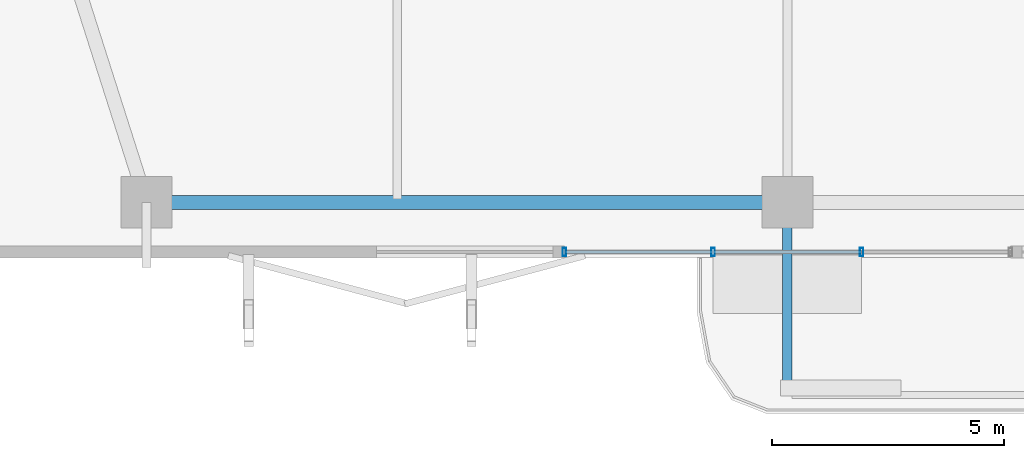
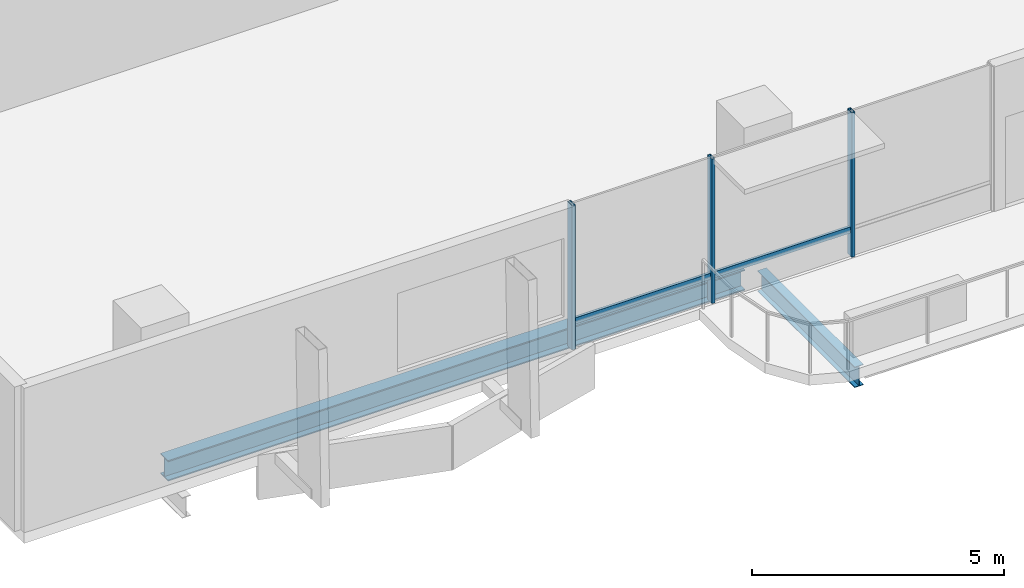
# One storey, part 2 of 25: 5 members, 2 beams, 1 element without a shape of its own.
"""IFC4 building model written with IfcOpenShell, lengths in metres."""

from ifc_helpers import new_model, si_unit, direction, frame, origin, origin_2d, place, context, subcontext, project, spatial, hollow_rectangle, i_section, extrude, material, layer, layer_set, material_profile, profile_set, type_object, element, aggregate, save


model = new_model("IFC4")

# Units and contexts
model_context = context("Model", 3, precision=1e-05, world=origin(), true_north=direction((0.0, 1.0)))
body_context = subcontext(model_context, "Body", "Model", "MODEL_VIEW")
ifc_project = project(units=[si_unit("LENGTHUNIT", "METRE"), si_unit("AREAUNIT", "SQUARE_METRE"), si_unit("VOLUMEUNIT", "CUBIC_METRE"), si_unit("PLANEANGLEUNIT", "RADIAN"), si_unit("MASSUNIT", "GRAM", prefix="KILO")], contexts=[model_context])

# Site, building, storey
site_placement = place(None, origin())
site = spatial("IfcSite", under=ifc_project, at=site_placement, CompositionType="ELEMENT")
building_placement = place(site_placement, origin())
building = spatial("IfcBuilding", under=site, at=building_placement, Name="Belovzor Exchange Tower", CompositionType="ELEMENT")
storey_placement = place(building_placement, frame((0.0, 0.0, 153.300048828125)))
storey = spatial("IfcBuildingStorey", under=building, at=storey_placement, Name="L37", CompositionType="ELEMENT", Elevation=153.300048828125)

# Beam
ifc_material_1 = material(Name="Steel S355", Category="steel")
ifc_material_profile_1 = material_profile(ifc_material_1, i_section(OverallWidth=0.199951171875, OverallDepth=0.5, WebThickness=0.01025390625, FlangeThickness=0.01611328125, at=origin_2d()))
ifc_profile_set_1 = profile_set([ifc_material_profile_1], Name="Steel S355")
beam_type_1 = type_object("IfcBeamType", Name="Planted Balcony Cantilever Beam IPE 500", PredefinedType="BEAM", material=ifc_profile_set_1)
beam_1_placement = place(storey_placement, frame((28.800048828125, 5.39697265625, -0.505126953125), z_axis=(0.0, -1.0, 0.0), x_axis=(1.0, 0.0, 0.0)))
element("IfcBeam", 1, at=beam_1_placement, inside=storey, type_object=beam_type_1, Name="BC-500 Planted Balcony Cantilever Beam IPE 500", PredefinedType="BEAM", context=body_context, shape_type="SweptSolid", body=[
    extrude(i_section(OverallWidth=0.199951171875, OverallDepth=0.5, WebThickness=0.01025390625, FlangeThickness=0.01611328125, at=origin_2d()), origin(), (0.0, 0.0, 1.0), 3.849853515625),
])

# Curtain wall, members
ifc_material_2 = material(Name="Anodised Aluminium Framing", Category="aluminium")
ifc_layer = layer(ifc_material_2, 0.179931640625)
ifc_layer_set = layer_set([ifc_layer], Name="Anodised Aluminium Framing")
curtain_wall_type = type_object("IfcCurtainWallType", Name="Recessed Loggia Low-Iron Triple-Glazed Curtain Wall", PredefinedType="NOTDEFINED", material=ifc_layer_set)
curtain_wall_placement = place(storey_placement, origin())
curtain_wall = element("IfcCurtainWall", 2, at=curtain_wall_placement, inside=storey, type_object=curtain_wall_type, Name="CW3 Recessed Loggia Low-Iron Triple-Glazed Curtain Wall L37", PredefinedType="NOTDEFINED")
ifc_material_3 = material(Name="Steel S355", Category="steel")
ifc_material_profile_2 = material_profile(ifc_material_3, hollow_rectangle(XDim=0.074951171875, YDim=0.179931640625, WallThickness=0.0048828125, at=origin_2d()))
ifc_profile_set_2 = profile_set([ifc_material_profile_2], Name="Steel S355")
member_type_1 = type_object("IfcMemberType", Name="Thermally Broken Curtain Wall Mullion 180x75", PredefinedType="MULLION", material=ifc_profile_set_2)
member_1_placement = place(storey_placement, frame((30.39990234375, 4.6298828125, 0.0), z_axis=(0.0, 0.0, 1.0), x_axis=(-1.0, 0.0, 0.0)))
member_1 = element("IfcMember", 3, at=member_1_placement, type_object=member_type_1, Name="CW-M180 Curtain Wall Mullion 2", PredefinedType="MULLION", context=body_context, shape_type="SweptSolid", body=[
    extrude(hollow_rectangle(XDim=0.074951171875, YDim=0.179931640625, WallThickness=0.0048828125, at=origin_2d()), origin(), (0.0, 0.0, 1.0), 3.494873046875),
])
member_2_placement = place(storey_placement, frame((27.199951171875, 4.6298828125, 0.0), z_axis=(0.0, 0.0, 1.0), x_axis=(-1.0, 0.0, 0.0)))
member_2 = element("IfcMember", 4, at=member_2_placement, type_object=member_type_1, Name="CW-M180 Curtain Wall Mullion 3", PredefinedType="MULLION", context=body_context, shape_type="SweptSolid", body=[
    extrude(hollow_rectangle(XDim=0.074951171875, YDim=0.179931640625, WallThickness=0.0048828125, at=origin_2d()), origin(), (0.0, 0.0, 1.0), 3.494873046875),
])
member_3_placement = place(storey_placement, frame((24.0, 4.6298828125, 0.0), z_axis=(0.0, 0.0, 1.0), x_axis=(-1.0, 0.0, 0.0)))
member_3 = element("IfcMember", 5, at=member_3_placement, type_object=member_type_1, Name="CW-M180 Curtain Wall Mullion 4", PredefinedType="MULLION", context=body_context, shape_type="SweptSolid", body=[
    extrude(hollow_rectangle(XDim=0.074951171875, YDim=0.179931640625, WallThickness=0.0048828125, at=origin_2d()), origin(), (0.0, 0.0, 1.0), 3.494873046875),
])
ifc_material_4 = material(Name="Steel S355", Category="steel")
ifc_material_profile_3 = material_profile(ifc_material_4, hollow_rectangle(XDim=0.06005859375, YDim=0.14990234375, WallThickness=0.00390625, at=origin_2d()))
ifc_profile_set_3 = profile_set([ifc_material_profile_3], Name="Steel S355")
member_type_2 = type_object("IfcMemberType", Name="Thermally Broken Curtain Wall Transom 150x60", PredefinedType="USERDEFINED", material=ifc_profile_set_3)
member_4_placement = place(storey_placement, frame((30.39208984375, 4.6298828125, 0.62890625), z_axis=(-1.0, 0.0, 0.0), x_axis=(0.0, -1.0, 0.0)))
member_4 = element("IfcMember", 6, at=member_4_placement, type_object=member_type_2, Name="CW-T150 Curtain Wall Transom 2", ObjectType="TRANSOM", PredefinedType="USERDEFINED", context=body_context, shape_type="SweptSolid", body=[
    extrude(hollow_rectangle(XDim=0.06005859375, YDim=0.14990234375, WallThickness=0.00390625, at=origin_2d()), origin(), (0.0, 0.0, 1.0), 3.18408203125),
])
member_5_placement = place(storey_placement, frame((27.19189453125, 4.6298828125, 0.62890625), z_axis=(-1.0, 0.0, 0.0), x_axis=(0.0, -1.0, 0.0)))
member_5 = element("IfcMember", 7, at=member_5_placement, type_object=member_type_2, Name="CW-T150 Curtain Wall Transom 3", ObjectType="TRANSOM", PredefinedType="USERDEFINED", context=body_context, shape_type="SweptSolid", body=[
    extrude(hollow_rectangle(XDim=0.06005859375, YDim=0.14990234375, WallThickness=0.00390625, at=origin_2d()), origin(), (0.0, 0.0, 1.0), 3.183837890625),
])
aggregate(curtain_wall, [member_1, member_2, member_3, member_4, member_5])

# Beam
ifc_material_5 = material(Name="Steel S355", Category="steel")
ifc_material_profile_4 = material_profile(ifc_material_5, i_section(OverallWidth=0.300048828125, OverallDepth=0.5, WebThickness=0.014404296875, FlangeThickness=0.028076171875, at=origin_2d()))
ifc_profile_set_4 = profile_set([ifc_material_profile_4], Name="Steel S355")
beam_type_2 = type_object("IfcBeamType", Name="Zone 3 Waist Primary Girder HEB 500", PredefinedType="BEAM", material=ifc_profile_set_4)
beam_2_placement = place(storey_placement, frame((15.302978515625, 5.699951171875, -0.505126953125), z_axis=(1.0, 0.0, 0.0), x_axis=(0.0, 1.0, 0.0)))
element("IfcBeam", 8, at=beam_2_placement, inside=storey, type_object=beam_type_2, Name="FG-Z3 Zone 3 Waist Primary Girder HEB 500", PredefinedType="BEAM", context=body_context, shape_type="SweptSolid", body=[
    extrude(i_section(OverallWidth=0.300048828125, OverallDepth=0.5, WebThickness=0.014404296875, FlangeThickness=0.028076171875, at=origin_2d()), origin(), (0.0, 0.0, 1.0), 13.195068359375),
])

save(model, "model.ifc")
